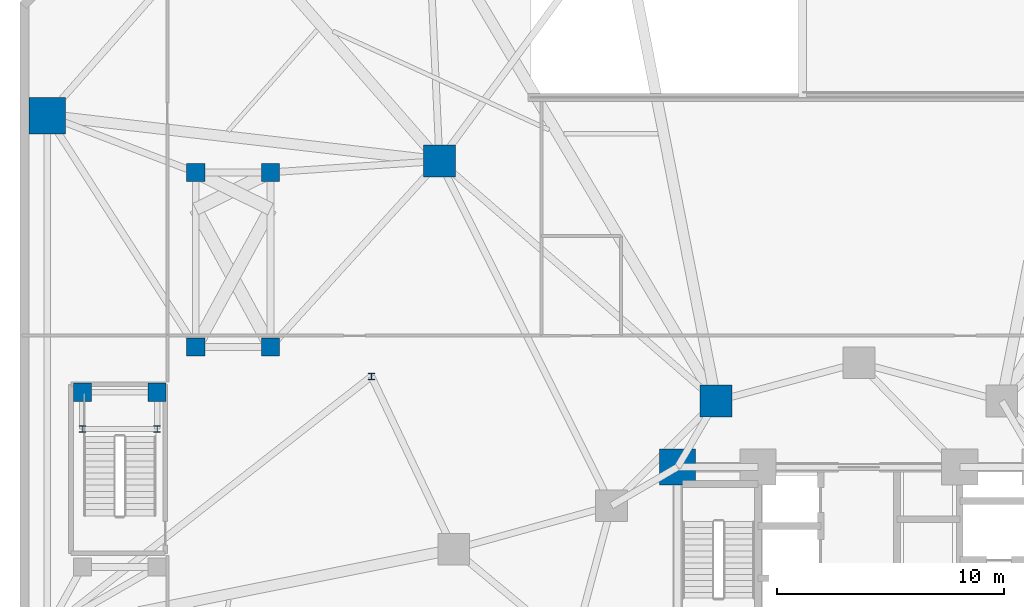
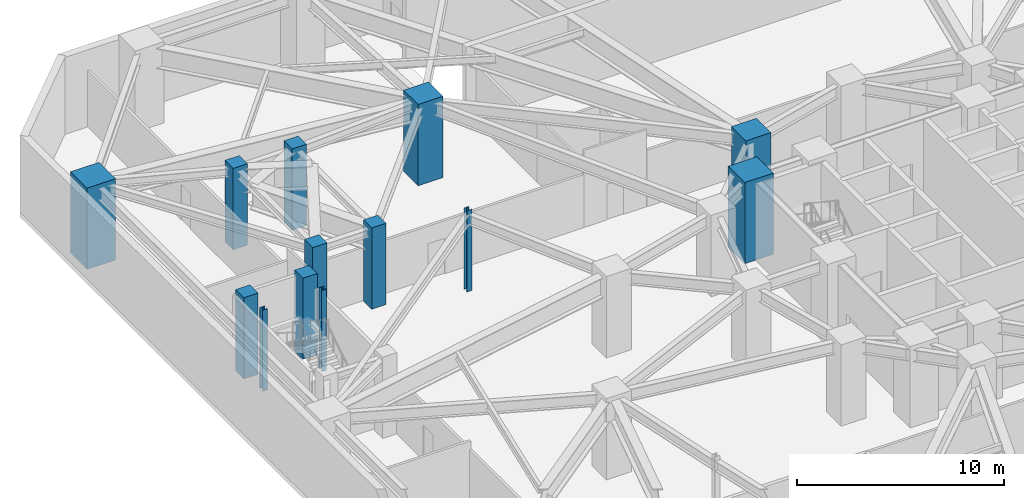
# One storey, part 4 of 18: 13 columns.
"""IFC4 building model written with IfcOpenShell, lengths in metres."""

from ifc_helpers import new_model, si_unit, direction, frame, origin, origin_2d, place, context, subcontext, project, spatial, rectangle, i_section, extrude, material, material_profile, profile_set, type_object, element, save


model = new_model("IFC4")

# Units and contexts
model_context = context("Model", 3, precision=1e-05, world=origin(), true_north=direction((0.0, 1.0)))
body_context = subcontext(model_context, "Body", "Model", "MODEL_VIEW")
ifc_project = project(units=[si_unit("LENGTHUNIT", "METRE"), si_unit("AREAUNIT", "SQUARE_METRE"), si_unit("VOLUMEUNIT", "CUBIC_METRE"), si_unit("PLANEANGLEUNIT", "RADIAN"), si_unit("MASSUNIT", "GRAM", prefix="KILO")], contexts=[model_context])

# Site, building, storey
site_placement = place(None, origin())
site = spatial("IfcSite", under=ifc_project, at=site_placement, CompositionType="ELEMENT")
building_placement = place(site_placement, origin())
building = spatial("IfcBuilding", under=site, at=building_placement, Name="Terralouvre Media Tower", CompositionType="ELEMENT")
storey_placement = place(building_placement, frame((0.0, 0.0, -4.800048828125)))
storey = spatial("IfcBuildingStorey", under=building, at=storey_placement, Name="B01", CompositionType="ELEMENT", Elevation=-4.800048828125)

# Columns
ifc_material_1 = material(Name="Structural steel S355J2", Category="steel")
ifc_material_profile_1 = material_profile(ifc_material_1, i_section(OverallWidth=0.280029296875, OverallDepth=0.280029296875, WebThickness=0.010498046875, FlangeThickness=0.01806640625, at=origin_2d()), Name="HEB 280")
ifc_profile_set_1 = profile_set([ifc_material_profile_1], Name="Structural steel S355J2")
column_type_1 = type_object("IfcColumnType", Name="Basement Aisle Pilaster PL-HEB280 (HEB 280)", PredefinedType="PILASTER", material=ifc_profile_set_1)
for number, where, z_axis, x_axis, name in (
    (1, (-21.5, 12.0, 0.0), (0.0, 0.0, 1.0), (1.0, 0.0, 0.0), "B01 Car-Park Aisle Pilaster A3"),
    (2, (-34.25, 9.679931640625, 0.0), (0.0, 0.0, 1.0), (1.0, 0.0, 0.0), "B01 Stair Half-Landing Post ST3CLP1"),
    (3, (-30.949951171875, 9.679931640625, 0.0), (0.0, 0.0, 1.0), (1.0, 0.0, 0.0), "B01 Stair Half-Landing Post ST3CLP2"),
):
    element("IfcColumn", number, at=place(storey_placement, frame(where, z_axis=z_axis, x_axis=x_axis)), inside=storey, type_object=column_type_1, Name=name, PredefinedType="PILASTER", context=body_context, shape_type="SweptSolid", body=[
        extrude(i_section(OverallWidth=0.280029296875, OverallDepth=0.280029296875, WebThickness=0.010498046875, FlangeThickness=0.01806640625, at=origin_2d()), origin(), (0.0, 0.0, 1.0), 4.800048828125),
    ])
ifc_material_2 = material(Name="Concrete C60/75", Category="concrete")
ifc_material_profile_2 = material_profile(ifc_material_2, rectangle(XDim=1.39990234375, YDim=1.39990234375, at=origin_2d()), Name="RC 1400x1400")
ifc_profile_set_2 = profile_set([ifc_material_profile_2], Name="Concrete C60/75")
column_type_2 = type_object("IfcColumnType", Name="Structural Column C-RC1400 (RC 1400x1400)", PredefinedType="COLUMN", material=ifc_profile_set_2)
for number, where, z_axis, x_axis, name in (
    (4, (-6.300048828125, 10.911865234375, 0.0), (0.0, 0.0, 1.0), (1.0, 0.0, 0.0), "B01 Mega-Frame Column MC05"),
    (5, (-18.5, 21.5, 0.0), (0.0, 0.0, 1.0), (1.0, 0.0, 0.0), "B01 Podium Transfer Column PM19"),
):
    element("IfcColumn", number, at=place(storey_placement, frame(where, z_axis=z_axis, x_axis=x_axis)), inside=storey, type_object=column_type_2, Name=name, PredefinedType="COLUMN", context=body_context, shape_type="SweptSolid", body=[
        extrude(rectangle(XDim=1.39990234375, YDim=1.39990234375, at=origin_2d()), origin(), (0.0, 0.0, 1.0), 4.800048828125),
    ])
ifc_material_3 = material(Name="Concrete C60/75", Category="concrete")
ifc_material_profile_3 = material_profile(ifc_material_3, rectangle(XDim=1.60009765625, YDim=1.60009765625, at=origin_2d()), Name="RC 1600x1600")
ifc_profile_set_3 = profile_set([ifc_material_profile_3], Name="Concrete C60/75")
column_type_3 = type_object("IfcColumnType", Name="Structural Column C-RC1600 (RC 1600x1600)", PredefinedType="COLUMN", material=ifc_profile_set_3)
for number, where, z_axis, x_axis, name in (
    (6, (-8.0, 8.0, 0.0), (0.0, 0.0, 1.0), (1.0, 0.0, 0.0), "B01 Core Pilaster Column CP7"),
    (7, (-35.800048828125, 23.5, 0.0), (0.0, 0.0, 1.0), (1.0, 0.0, 0.0), "B01 Perimeter Mega-Column PM16"),
):
    element("IfcColumn", number, at=place(storey_placement, frame(where, z_axis=z_axis, x_axis=x_axis)), inside=storey, type_object=column_type_3, Name=name, PredefinedType="COLUMN", context=body_context, shape_type="SweptSolid", body=[
        extrude(rectangle(XDim=1.60009765625, YDim=1.60009765625, at=origin_2d()), origin(), (0.0, 0.0, 1.0), 4.800048828125),
    ])
ifc_material_4 = material(Name="Concrete C50/60", Category="concrete")
ifc_material_profile_4 = material_profile(ifc_material_4, rectangle(XDim=0.800048828125, YDim=0.800048828125, at=origin_2d()), Name="RC 800x800")
ifc_profile_set_4 = profile_set([ifc_material_profile_4], Name="Concrete C50/60")
column_type_4 = type_object("IfcColumnType", Name="Structural Column C-RC800 (RC 800x800)", PredefinedType="COLUMN", material=ifc_profile_set_4)
for number, where, z_axis, x_axis, name in (
    (8, (-30.949951171875, 11.300048828125, 0.0), (0.0, 0.0, 1.0), (1.0, 0.0, 0.0), "B01 Stair Pavilion Support Column ST3C3"),
    (9, (-34.25, 11.300048828125, 0.0), (0.0, 0.0, 1.0), (1.0, 0.0, 0.0), "B01 Stair Pavilion Support Column ST3C4"),
    (10, (-29.25, 13.300048828125, 0.0), (0.0, 0.0, 1.0), (1.0, 0.0, 0.0), "B01 Stair Pavilion Support Column ST6C1"),
    (11, (-25.949951171875, 13.300048828125, 0.0), (0.0, 0.0, 1.0), (1.0, 0.0, 0.0), "B01 Stair Pavilion Support Column ST6C2"),
    (12, (-25.949951171875, 21.0, 0.0), (0.0, 0.0, 1.0), (1.0, 0.0, 0.0), "B01 Stair Pavilion Support Column ST6C3"),
    (13, (-29.25, 21.0, 0.0), (0.0, 0.0, 1.0), (1.0, 0.0, 0.0), "B01 Stair Pavilion Support Column ST6C4"),
):
    element("IfcColumn", number, at=place(storey_placement, frame(where, z_axis=z_axis, x_axis=x_axis)), inside=storey, type_object=column_type_4, Name=name, PredefinedType="COLUMN", context=body_context, shape_type="SweptSolid", body=[
        extrude(rectangle(XDim=0.800048828125, YDim=0.800048828125, at=origin_2d()), origin(), (0.0, 0.0, 1.0), 4.800048828125),
    ])

save(model, "model.ifc")
